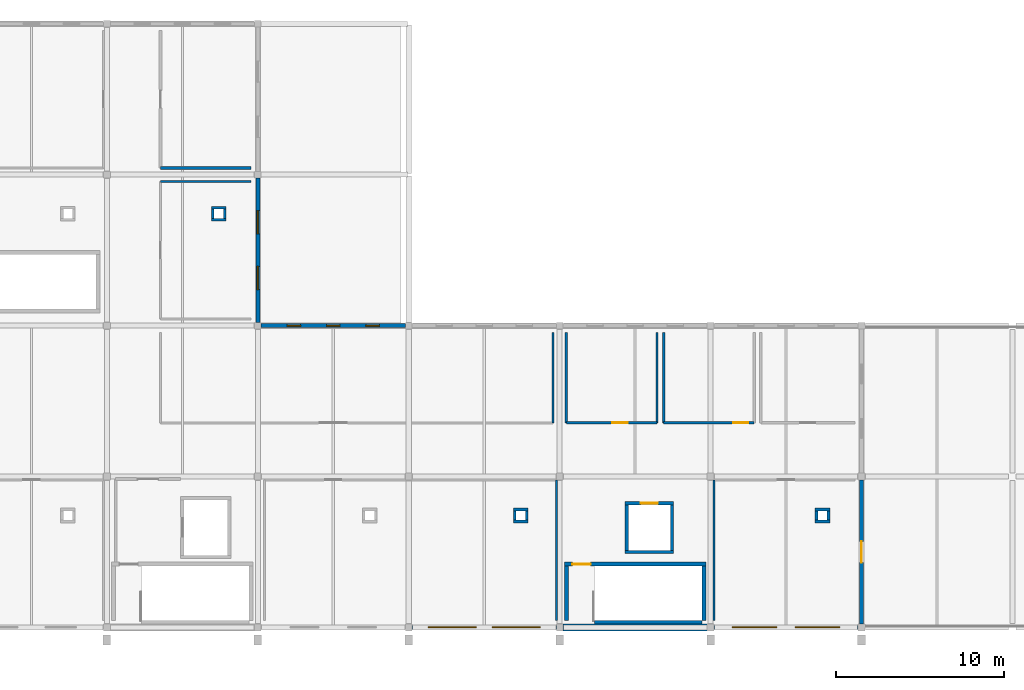
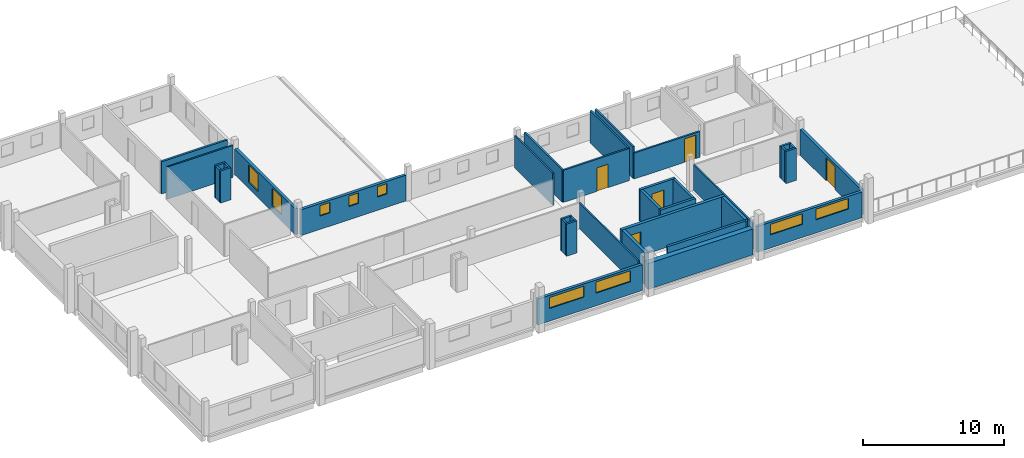
# One storey, part 3 of 6: 36 walls, 9 windows, 5 doors, 14 openings.
"""IFC4 building model written with IfcOpenShell, lengths in metres."""

from ifc_helpers import new_model, si_unit, direction, frame, frame_2d, origin, place, context, subcontext, project, spatial, rectangle, extrude, material, layer, layer_set, type_object, element, fill, save


model = new_model("IFC4")

# Units and contexts
model_context = context("Model", 3, precision=1e-05, world=origin(), true_north=direction((0.0, 1.0)))
body_context = subcontext(model_context, "Body", "Model", "MODEL_VIEW")
ifc_project = project(units=[si_unit("LENGTHUNIT", "METRE"), si_unit("AREAUNIT", "SQUARE_METRE"), si_unit("VOLUMEUNIT", "CUBIC_METRE"), si_unit("PLANEANGLEUNIT", "RADIAN"), si_unit("MASSUNIT", "GRAM", prefix="KILO")], contexts=[model_context])

# Site, building, storey
site_placement = place(None, origin())
site = spatial("IfcSite", under=ifc_project, at=site_placement, CompositionType="ELEMENT")
building_placement = place(site_placement, origin())
building = spatial("IfcBuilding", under=site, at=building_placement, Name="Tharagai Park Tramway Depot", CompositionType="ELEMENT")
storey_placement = place(building_placement, frame((0.0, 0.0, 15.0)))
storey = spatial("IfcBuildingStorey", under=building, at=storey_placement, Name="L04", CompositionType="ELEMENT", Elevation=15.0)

# Wall, openings, windows
ifc_material_1 = material(Name="Pressed clay brick", Category="masonry")
ifc_layer_1 = layer(ifc_material_1, 0.22998046875)
ifc_layer_set_1 = layer_set([ifc_layer_1], Name="Pressed clay brick")
wall_type_1 = type_object("IfcWallType", Name="EW-06", PredefinedType="SOLIDWALL", material=ifc_layer_set_1)
wall_1_placement = place(storey_placement, frame((27.197998046875, 0.0, 0.0), z_axis=(0.0, 0.0, 1.0), x_axis=(1.0, 0.0, 0.0)))
wall_1 = element("IfcWall", 1, at=wall_1_placement, inside=storey, type_object=wall_type_1, Name="L04 V4 Exterior Masonry Wall EW-06", PredefinedType="SOLIDWALL", context=body_context, shape_type="SweptSolid", body=[
    extrude(rectangle(XDim=8.60400390625, YDim=0.22998046875, at=frame_2d((4.302001953125, 0.0))), origin(), (0.0, 0.0, 1.0), 2.241943359375),
])
opening_1_placement = place(wall_1_placement, frame((0.968017578125, 0.0, 1.10009765625)))
opening_1 = element("IfcOpeningElement", 2, at=opening_1_placement, cuts=wall_1, Name="Opening WN-14", PredefinedType="OPENING", context=body_context, shape_type="SweptSolid", body=[
    extrude(rectangle(XDim=2.85009765625, YDim=0.9599609375, at=frame_2d((1.425048828125, 0.47998046875))), frame((0.0, 0.125, 0.0), z_axis=(0.0, -1.0, 0.0), x_axis=(1.0, 0.0, 0.0)), (0.0, 0.0, 1.0), 0.25),
])
opening_2_placement = place(wall_1_placement, frame((4.785888671875, 0.0, 1.10009765625)))
opening_2 = element("IfcOpeningElement", 3, at=opening_2_placement, cuts=wall_1, Name="Opening WN-14", PredefinedType="OPENING", context=body_context, shape_type="SweptSolid", body=[
    extrude(rectangle(XDim=2.85009765625, YDim=0.9599609375, at=frame_2d((1.425048828125, 0.47998046875))), frame((0.0, 0.125, 0.0), z_axis=(0.0, -1.0, 0.0), x_axis=(1.0, 0.0, 0.0)), (0.0, 0.0, 1.0), 0.25),
])
ifc_material_2 = material(Name="Laminated solar-control glass", Category="glass")
window_type_1 = type_object("IfcWindowType", Name="WN-14", PartitioningType="SINGLE_PANEL", PredefinedType="WINDOW", material=ifc_material_2)
window_1_placement = place(opening_1_placement, origin())
window_1 = element("IfcWindow", 4, at=window_1_placement, inside=storey, type_object=window_type_1, Name="L04 V4 Gothic Lancet Window WN-14", OverallHeight=0.9599609375, OverallWidth=2.85009765625, PartitioningType="SINGLE_PANEL", PredefinedType="WINDOW", context=body_context, shape_type="SweptSolid", body=[
    extrude(rectangle(XDim=2.85009765625, YDim=0.9599609375, at=frame_2d((1.425048828125, 0.47998046875))), frame((0.0, 0.030029296875, 0.0), z_axis=(0.0, -1.0, 0.0), x_axis=(1.0, 0.0, 0.0)), (0.0, 0.0, 1.0), 0.06005859375),
])
fill(opening_1, window_1)
window_2_placement = place(opening_2_placement, origin())
window_2 = element("IfcWindow", 5, at=window_2_placement, inside=storey, type_object=window_type_1, Name="L04 V4 Gothic Lancet Window WN-14", OverallHeight=0.9599609375, OverallWidth=2.85009765625, PartitioningType="SINGLE_PANEL", PredefinedType="WINDOW", context=body_context, shape_type="SweptSolid", body=[
    extrude(rectangle(XDim=2.85009765625, YDim=0.9599609375, at=frame_2d((1.425048828125, 0.47998046875))), frame((0.0, 0.030029296875, 0.0), z_axis=(0.0, -1.0, 0.0), x_axis=(1.0, 0.0, 0.0)), (0.0, 0.0, 1.0), 0.06005859375),
])
fill(opening_2, window_2)

wall_2_placement = place(storey_placement, frame((45.197998046875, 0.0, 0.0), z_axis=(0.0, 0.0, 1.0), x_axis=(1.0, 0.0, 0.0)))
wall_2 = element("IfcWall", 6, at=wall_2_placement, inside=storey, type_object=wall_type_1, Name="L04 V4 Exterior Masonry Wall EW-06", PredefinedType="SOLIDWALL", context=body_context, shape_type="SweptSolid", body=[
    extrude(rectangle(XDim=8.60400390625, YDim=0.22998046875, at=frame_2d((4.302001953125, 0.0))), origin(), (0.0, 0.0, 1.0), 2.241943359375),
])
opening_3_placement = place(wall_2_placement, frame((1.10107421875, 0.0, 1.139892578125)))
opening_3 = element("IfcOpeningElement", 7, at=opening_3_placement, cuts=wall_2, Name="Opening WN-46", PredefinedType="OPENING", context=body_context, shape_type="SweptSolid", body=[
    extrude(rectangle(XDim=2.64990234375, YDim=0.919921875, at=frame_2d((1.324951171875, 0.4599609375))), frame((0.0, 0.125, 0.0), z_axis=(0.0, -1.0, 0.0), x_axis=(1.0, 0.0, 0.0)), (0.0, 0.0, 1.0), 0.25),
])
opening_4_placement = place(wall_2_placement, frame((4.85302734375, 0.0, 1.139892578125)))
opening_4 = element("IfcOpeningElement", 8, at=opening_4_placement, cuts=wall_2, Name="Opening WN-46", PredefinedType="OPENING", context=body_context, shape_type="SweptSolid", body=[
    extrude(rectangle(XDim=2.64990234375, YDim=0.919921875, at=frame_2d((1.324951171875, 0.4599609375))), frame((0.0, 0.125, 0.0), z_axis=(0.0, -1.0, 0.0), x_axis=(1.0, 0.0, 0.0)), (0.0, 0.0, 1.0), 0.25),
])
window_type_2 = type_object("IfcWindowType", Name="WN-46", PartitioningType="SINGLE_PANEL", PredefinedType="WINDOW", material=ifc_material_2)
window_3_placement = place(opening_3_placement, origin())
window_3 = element("IfcWindow", 9, at=window_3_placement, inside=storey, type_object=window_type_2, Name="L04 V4 Gothic Lancet Window WN-46", OverallHeight=0.919921875, OverallWidth=2.64990234375, PartitioningType="SINGLE_PANEL", PredefinedType="WINDOW", context=body_context, shape_type="SweptSolid", body=[
    extrude(rectangle(XDim=2.64990234375, YDim=0.919921875, at=frame_2d((1.324951171875, 0.4599609375))), frame((0.0, 0.030029296875, 0.0), z_axis=(0.0, -1.0, 0.0), x_axis=(1.0, 0.0, 0.0)), (0.0, 0.0, 1.0), 0.06005859375),
])
fill(opening_3, window_3)
window_4_placement = place(opening_4_placement, origin())
window_4 = element("IfcWindow", 10, at=window_4_placement, inside=storey, type_object=window_type_2, Name="L04 V4 Gothic Lancet Window WN-46", OverallHeight=0.919921875, OverallWidth=2.64990234375, PartitioningType="SINGLE_PANEL", PredefinedType="WINDOW", context=body_context, shape_type="SweptSolid", body=[
    extrude(rectangle(XDim=2.64990234375, YDim=0.919921875, at=frame_2d((1.324951171875, 0.4599609375))), frame((0.0, 0.030029296875, 0.0), z_axis=(0.0, -1.0, 0.0), x_axis=(1.0, 0.0, 0.0)), (0.0, 0.0, 1.0), 0.06005859375),
])
fill(opening_4, window_4)

wall_3_placement = place(storey_placement, frame((18.197998046875, 18.0, 0.0), z_axis=(0.0, 0.0, 1.0), x_axis=(1.0, 0.0, 0.0)))
wall_3 = element("IfcWall", 11, at=wall_3_placement, inside=storey, type_object=wall_type_1, Name="L04 V4 Exterior Masonry Wall EW-06", PredefinedType="SOLIDWALL", context=body_context, shape_type="SweptSolid", body=[
    extrude(rectangle(XDim=8.60400390625, YDim=0.22998046875, at=frame_2d((4.302001953125, 0.0))), origin(), (0.0, 0.0, 1.0), 2.241943359375),
])
opening_5_placement = place(wall_3_placement, frame((1.551025390625, 0.0, 1.159912109375)))
opening_5 = element("IfcOpeningElement", 12, at=opening_5_placement, cuts=wall_3, Name="Opening WN-30", PredefinedType="OPENING", context=body_context, shape_type="SweptSolid", body=[
    extrude(rectangle(XDim=0.800048828125, YDim=0.89990234375, at=frame_2d((0.39990234375, 0.449951171875))), frame((0.0, 0.125, 0.0), z_axis=(0.0, -1.0, 0.0), x_axis=(1.0, 0.0, 0.0)), (0.0, 0.0, 1.0), 0.25),
])
opening_6_placement = place(wall_3_placement, frame((3.902099609375, 0.0, 1.159912109375)))
opening_6 = element("IfcOpeningElement", 13, at=opening_6_placement, cuts=wall_3, Name="Opening WN-30", PredefinedType="OPENING", context=body_context, shape_type="SweptSolid", body=[
    extrude(rectangle(XDim=0.800048828125, YDim=0.89990234375, at=frame_2d((0.39990234375, 0.449951171875))), frame((0.0, 0.125, 0.0), z_axis=(0.0, -1.0, 0.0), x_axis=(1.0, 0.0, 0.0)), (0.0, 0.0, 1.0), 0.25),
])
opening_7_placement = place(wall_3_placement, frame((6.2529296875, 0.0, 1.159912109375)))
opening_7 = element("IfcOpeningElement", 14, at=opening_7_placement, cuts=wall_3, Name="Opening WN-30", PredefinedType="OPENING", context=body_context, shape_type="SweptSolid", body=[
    extrude(rectangle(XDim=0.800048828125, YDim=0.89990234375, at=frame_2d((0.39990234375, 0.449951171875))), frame((0.0, 0.125, 0.0), z_axis=(0.0, -1.0, 0.0), x_axis=(1.0, 0.0, 0.0)), (0.0, 0.0, 1.0), 0.25),
])
window_type_3 = type_object("IfcWindowType", Name="WN-30", PartitioningType="SINGLE_PANEL", PredefinedType="WINDOW", material=ifc_material_2)
window_5_placement = place(opening_5_placement, origin())
window_5 = element("IfcWindow", 15, at=window_5_placement, inside=storey, type_object=window_type_3, Name="L04 V4 Gothic Lancet Window WN-30", OverallHeight=0.89990234375, OverallWidth=0.800048828125, PartitioningType="SINGLE_PANEL", PredefinedType="WINDOW", context=body_context, shape_type="SweptSolid", body=[
    extrude(rectangle(XDim=0.800048828125, YDim=0.89990234375, at=frame_2d((0.39990234375, 0.449951171875))), frame((0.0, 0.030029296875, 0.0), z_axis=(0.0, -1.0, 0.0), x_axis=(1.0, 0.0, 0.0)), (0.0, 0.0, 1.0), 0.06005859375),
])
fill(opening_5, window_5)
window_6_placement = place(opening_6_placement, origin())
window_6 = element("IfcWindow", 16, at=window_6_placement, inside=storey, type_object=window_type_3, Name="L04 V4 Gothic Lancet Window WN-30", OverallHeight=0.89990234375, OverallWidth=0.800048828125, PartitioningType="SINGLE_PANEL", PredefinedType="WINDOW", context=body_context, shape_type="SweptSolid", body=[
    extrude(rectangle(XDim=0.800048828125, YDim=0.89990234375, at=frame_2d((0.39990234375, 0.449951171875))), frame((0.0, 0.030029296875, 0.0), z_axis=(0.0, -1.0, 0.0), x_axis=(1.0, 0.0, 0.0)), (0.0, 0.0, 1.0), 0.06005859375),
])
fill(opening_6, window_6)
window_7_placement = place(opening_7_placement, origin())
window_7 = element("IfcWindow", 17, at=window_7_placement, inside=storey, type_object=window_type_3, Name="L04 V4 Gothic Lancet Window WN-30", OverallHeight=0.89990234375, OverallWidth=0.800048828125, PartitioningType="SINGLE_PANEL", PredefinedType="WINDOW", context=body_context, shape_type="SweptSolid", body=[
    extrude(rectangle(XDim=0.800048828125, YDim=0.89990234375, at=frame_2d((0.39990234375, 0.449951171875))), frame((0.0, 0.030029296875, 0.0), z_axis=(0.0, -1.0, 0.0), x_axis=(1.0, 0.0, 0.0)), (0.0, 0.0, 1.0), 0.06005859375),
])
fill(opening_7, window_7)

wall_4_placement = place(storey_placement, frame((18.0, 18.197998046875, 0.0), z_axis=(0.0, 0.0, 1.0), x_axis=(0.0, 1.0, 0.0)))
wall_4 = element("IfcWall", 18, at=wall_4_placement, inside=storey, type_object=wall_type_1, Name="L04 V4 Exterior Masonry Wall EW-06", PredefinedType="SOLIDWALL", context=body_context, shape_type="SweptSolid", body=[
    extrude(rectangle(XDim=8.60400390625, YDim=0.22998046875, at=frame_2d((4.302001953125, 0.0))), origin(), (0.0, 0.0, 1.0), 2.241943359375),
])
opening_8_placement = place(wall_4_placement, frame((1.947998046875, 0.0, 0.5400390625)))
opening_8 = element("IfcOpeningElement", 19, at=opening_8_placement, cuts=wall_4, Name="Opening WN-12", PredefinedType="OPENING", context=body_context, shape_type="SweptSolid", body=[
    extrude(rectangle(XDim=1.3798828125, YDim=1.52001953125, at=frame_2d((0.68994140625, 0.760009765625))), frame((0.0, 0.125, 0.0), z_axis=(0.0, -1.0, 0.0), x_axis=(1.0, 0.0, 0.0)), (0.0, 0.0, 1.0), 0.25),
])
opening_9_placement = place(wall_4_placement, frame((5.27587890625, 0.0, 0.5400390625)))
opening_9 = element("IfcOpeningElement", 20, at=opening_9_placement, cuts=wall_4, Name="Opening WN-12", PredefinedType="OPENING", context=body_context, shape_type="SweptSolid", body=[
    extrude(rectangle(XDim=1.3798828125, YDim=1.52001953125, at=frame_2d((0.68994140625, 0.760009765625))), frame((0.0, 0.125, 0.0), z_axis=(0.0, -1.0, 0.0), x_axis=(1.0, 0.0, 0.0)), (0.0, 0.0, 1.0), 0.25),
])
window_type_4 = type_object("IfcWindowType", Name="WN-12", PartitioningType="SINGLE_PANEL", PredefinedType="WINDOW", material=ifc_material_2)
window_8_placement = place(opening_8_placement, origin())
window_8 = element("IfcWindow", 21, at=window_8_placement, inside=storey, type_object=window_type_4, Name="L04 V4 Side Lancet Window WN-12", OverallHeight=1.52001953125, OverallWidth=1.3798828125, PartitioningType="SINGLE_PANEL", PredefinedType="WINDOW", context=body_context, shape_type="SweptSolid", body=[
    extrude(rectangle(XDim=1.3798828125, YDim=1.52001953125, at=frame_2d((0.68994140625, 0.760009765625))), frame((0.0, 0.030029296875, 0.0), z_axis=(0.0, -1.0, 0.0), x_axis=(1.0, 0.0, 0.0)), (0.0, 0.0, 1.0), 0.06005859375),
])
fill(opening_8, window_8)
window_9_placement = place(opening_9_placement, origin())
window_9 = element("IfcWindow", 22, at=window_9_placement, inside=storey, type_object=window_type_4, Name="L04 V4 Side Lancet Window WN-12", OverallHeight=1.52001953125, OverallWidth=1.3798828125, PartitioningType="SINGLE_PANEL", PredefinedType="WINDOW", context=body_context, shape_type="SweptSolid", body=[
    extrude(rectangle(XDim=1.3798828125, YDim=1.52001953125, at=frame_2d((0.68994140625, 0.760009765625))), frame((0.0, 0.030029296875, 0.0), z_axis=(0.0, -1.0, 0.0), x_axis=(1.0, 0.0, 0.0)), (0.0, 0.0, 1.0), 0.06005859375),
])
fill(opening_9, window_9)

# Wall, opening, door
wall_5_placement = place(storey_placement, frame((54.0, 0.197998046875, 0.0), z_axis=(0.0, 0.0, 1.0), x_axis=(0.0, 1.0, 0.0)))
wall_5 = element("IfcWall", 23, at=wall_5_placement, inside=storey, type_object=wall_type_1, Name="L04 V4 Exterior Masonry Wall EW-06", PredefinedType="SOLIDWALL", context=body_context, shape_type="SweptSolid", body=[
    extrude(rectangle(XDim=8.60400390625, YDim=0.22998046875, at=frame_2d((4.302001953125, 0.0))), origin(), (0.0, 0.0, 1.0), 2.241943359375),
])
opening_10_placement = place(wall_5_placement, frame((3.672119140625, 0.0, 0.0)))
opening_10 = element("IfcOpeningElement", 24, at=opening_10_placement, cuts=wall_5, Name="Opening ED-07", PredefinedType="OPENING", context=body_context, shape_type="SweptSolid", body=[
    extrude(rectangle(XDim=1.260009765625, YDim=2.02001953125, at=frame_2d((0.6298828125, 1.010009765625))), frame((0.0, 0.125, 0.0), z_axis=(0.0, -1.0, 0.0), x_axis=(1.0, 0.0, 0.0)), (0.0, 0.0, 1.0), 0.25),
])
ifc_material_3 = material(Name="Anodised aluminium", Category="aluminium")
door_type_1 = type_object("IfcDoorType", Name="ED-07", OperationType="NOTDEFINED", PredefinedType="DOOR", material=ifc_material_3)
door_1_placement = place(opening_10_placement, frame((1.260009765625, 0.0, 0.0), z_axis=(0.0, 0.0, 1.0), x_axis=(-1.0, 0.0, 0.0)))
door_1 = element("IfcDoor", 25, at=door_1_placement, inside=storey, type_object=door_type_1, Name="T-L04-V4 Terrace Access Door", OperationType="SINGLE_SWING_LEFT", OverallHeight=2.02001953125, OverallWidth=1.260009765625, PredefinedType="DOOR", context=body_context, shape_type="SweptSolid", body=[
    extrude(rectangle(XDim=1.260009765625, YDim=2.02001953125, at=frame_2d((0.6298828125, 1.010009765625))), frame((0.0, 0.02490234375, 0.0), z_axis=(0.0, -1.0, 0.0), x_axis=(1.0, 0.0, 0.0)), (0.0, 0.0, 1.0), 0.050048828125),
])
fill(opening_10, door_1)

# Wall
ifc_material_4 = material(Name="Charnockite stone", Category="masonry")
ifc_layer_2 = layer(ifc_material_4, 0.419921875)
ifc_layer_set_2 = layer_set([ifc_layer_2], Name="Charnockite stone")
wall_type_2 = type_object("IfcWallType", Name="EW-07", PredefinedType="SOLIDWALL", material=ifc_layer_set_2)
wall_6_placement = place(storey_placement, frame((36.197998046875, 0.0, 0.0), z_axis=(0.0, 0.0, 1.0), x_axis=(1.0, 0.0, 0.0)))
element("IfcWall", 26, at=wall_6_placement, inside=storey, type_object=wall_type_2, Name="L04 V4 Exterior Masonry Wall EW-07", PredefinedType="SOLIDWALL", context=body_context, shape_type="SweptSolid", body=[
    extrude(rectangle(XDim=8.60400390625, YDim=0.419921875, at=frame_2d((4.302001953125, 0.0))), origin(), (0.0, 0.0, 1.0), 2.241943359375),
])

# Wall, opening, door
ifc_layer_3 = layer(ifc_material_1, 0.139892578125)
ifc_layer_set_3 = layer_set([ifc_layer_3], Name="Pressed clay brick")
wall_type_3 = type_object("IfcWallType", Name="IW-01", PredefinedType="PARTITIONING", material=ifc_layer_set_3)
wall_7_placement = place(storey_placement, frame((36.39990234375, 12.199951171875, 0.0), z_axis=(0.0, 0.0, 1.0), x_axis=(1.0, 0.0, 0.0)))
wall_7 = element("IfcWall", 27, at=wall_7_placement, inside=storey, type_object=wall_type_3, Name="Fourth Floor Male WC Partition South", PredefinedType="PARTITIONING", context=body_context, shape_type="SweptSolid", body=[
    extrude(rectangle(XDim=5.400146484375, YDim=0.139892578125, at=frame_2d((2.7001953125, 0.0))), origin(), (0.0, 0.0, 1.0), 2.7900390625),
])
opening_11_placement = place(wall_7_placement, frame((2.7451171875, 0.0, 0.0)))
opening_11 = element("IfcOpeningElement", 28, at=opening_11_placement, cuts=wall_7, Name="Opening ID-08", PredefinedType="OPENING", context=body_context, shape_type="SweptSolid", body=[
    extrude(rectangle(XDim=0.909912109375, YDim=2.0400390625, at=frame_2d((0.455078125, 1.02001953125))), frame((0.0, 0.079833984375, 0.0), z_axis=(0.0, -1.0, 0.0), x_axis=(1.0, 0.0, 0.0)), (0.0, 0.0, 1.0), 0.159912109375),
])
ifc_material_5 = material(Name="Pressed timber", Category="wood")
door_type_2 = type_object("IfcDoorType", Name="ID-08", OperationType="NOTDEFINED", PredefinedType="DOOR", material=ifc_material_5)
door_2_placement = place(opening_11_placement, frame((0.909912109375, 0.0, 0.0), z_axis=(0.0, 0.0, 1.0), x_axis=(-1.0, 0.0, 0.0)))
door_2 = element("IfcDoor", 29, at=door_2_placement, inside=storey, type_object=door_type_2, Name="Fourth Floor Male WC Door", OperationType="SINGLE_SWING_RIGHT", OverallHeight=2.0400390625, OverallWidth=0.909912109375, PredefinedType="DOOR", context=body_context, shape_type="SweptSolid", body=[
    extrude(rectangle(XDim=0.909912109375, YDim=2.0400390625, at=frame_2d((0.455078125, 1.02001953125))), frame((0.0, 0.02490234375, 0.0), z_axis=(0.0, -1.0, 0.0), x_axis=(1.0, 0.0, 0.0)), (0.0, 0.0, 1.0), 0.050048828125),
])
fill(opening_11, door_2)

# Walls
for number, where, z_axis, x_axis, name in (
    (30, (36.39990234375, 12.199951171875, 0.0), (0.0, 0.0, 1.0), (0.0, 1.0, 0.0), "Fourth Floor Male WC Partition West"),
    (31, (41.800048828125, 12.199951171875, 0.0), (0.0, 0.0, 1.0), (0.0, 1.0, 0.0), "Fourth Floor Male WC Partition East"),
):
    element("IfcWall", number, at=place(storey_placement, frame(where, z_axis=z_axis, x_axis=x_axis)), inside=storey, type_object=wall_type_3, Name=name, PredefinedType="PARTITIONING", context=body_context, shape_type="SweptSolid", body=[
        extrude(rectangle(XDim=5.400146484375, YDim=0.139892578125, at=frame_2d((2.7001953125, 0.0))), origin(), (0.0, 0.0, 1.0), 2.7900390625),
    ])

# Wall, opening, door
wall_8_placement = place(storey_placement, frame((42.199951171875, 12.199951171875, 0.0), z_axis=(0.0, 0.0, 1.0), x_axis=(1.0, 0.0, 0.0)))
wall_8 = element("IfcWall", 32, at=wall_8_placement, inside=storey, type_object=wall_type_3, Name="Fourth Floor Female WC Partition South", PredefinedType="PARTITIONING", context=body_context, shape_type="SweptSolid", body=[
    extrude(rectangle(XDim=5.400146484375, YDim=0.139892578125, at=frame_2d((2.7001953125, 0.0))), origin(), (0.0, 0.0, 1.0), 2.2451171875),
])
opening_12_placement = place(wall_8_placement, frame((4.139892578125, 0.0, 0.0)))
opening_12 = element("IfcOpeningElement", 33, at=opening_12_placement, cuts=wall_8, Name="Opening ID-08", PredefinedType="OPENING", context=body_context, shape_type="SweptSolid", body=[
    extrude(rectangle(XDim=0.909912109375, YDim=2.0400390625, at=frame_2d((0.455078125, 1.02001953125))), frame((0.0, 0.079833984375, 0.0), z_axis=(0.0, -1.0, 0.0), x_axis=(1.0, 0.0, 0.0)), (0.0, 0.0, 1.0), 0.159912109375),
])
door_3_placement = place(opening_12_placement, frame((0.909912109375, 0.0, 0.0), z_axis=(0.0, 0.0, 1.0), x_axis=(-1.0, 0.0, 0.0)))
door_3 = element("IfcDoor", 34, at=door_3_placement, inside=storey, type_object=door_type_2, Name="Fourth Floor Female WC Door", OperationType="SINGLE_SWING_LEFT", OverallHeight=2.0400390625, OverallWidth=0.909912109375, PredefinedType="DOOR", context=body_context, shape_type="SweptSolid", body=[
    extrude(rectangle(XDim=0.909912109375, YDim=2.0400390625, at=frame_2d((0.455078125, 1.02001953125))), frame((0.0, 0.02490234375, 0.0), z_axis=(0.0, -1.0, 0.0), x_axis=(1.0, 0.0, 0.0)), (0.0, 0.0, 1.0), 0.050048828125),
])
fill(opening_12, door_3)

# Walls
wall_9_placement = place(storey_placement, frame((42.199951171875, 12.199951171875, 0.0), z_axis=(0.0, 0.0, 1.0), x_axis=(0.0, 1.0, 0.0)))
element("IfcWall", 35, at=wall_9_placement, inside=storey, type_object=wall_type_3, Name="Fourth Floor Female WC Partition West", PredefinedType="PARTITIONING", context=body_context, shape_type="SweptSolid", body=[
    extrude(rectangle(XDim=5.400146484375, YDim=0.139892578125, at=frame_2d((2.7001953125, 0.0))), origin(), (0.0, 0.0, 1.0), 2.7900390625),
])
ifc_layer_4 = layer(ifc_material_1, 0.159912109375)
ifc_layer_set_4 = layer_set([ifc_layer_4], Name="Pressed clay brick")
wall_type_4 = type_object("IfcWallType", Name="IW-02", PredefinedType="PARTITIONING", material=ifc_layer_set_4)
for number, where, z_axis, x_axis, name in (
    (36, (33.239990234375, 6.320068359375, 0.0), (0.0, 0.0, 1.0), (1.0, 0.0, 0.0), "L04 Pipe Riser Enclosure Wall 64 S"),
    (37, (33.239990234375, 7.030029296875, 0.0), (0.0, 0.0, 1.0), (1.0, 0.0, 0.0), "L04 Pipe Riser Enclosure Wall 64 N"),
):
    element("IfcWall", number, at=place(storey_placement, frame(where, z_axis=z_axis, x_axis=x_axis)), inside=storey, type_object=wall_type_4, Name=name, PredefinedType="PARTITIONING", context=body_context, shape_type="SweptSolid", body=[
        extrude(rectangle(XDim=0.8701171875, YDim=0.159912109375, at=frame_2d((0.43505859375, 0.0))), origin(), (0.0, 0.0, 1.0), 2.7900390625),
    ])
for number, where, z_axis, x_axis, name in (
    (38, (33.320068359375, 6.39990234375, 0.0), (0.0, 0.0, 1.0), (0.0, 1.0, 0.0), "L04 Pipe Riser Enclosure Wall 64 W"),
    (39, (34.030029296875, 6.39990234375, 0.0), (0.0, 0.0, 1.0), (0.0, 1.0, 0.0), "L04 Pipe Riser Enclosure Wall 64 E"),
):
    element("IfcWall", number, at=place(storey_placement, frame(where, z_axis=z_axis, x_axis=x_axis)), inside=storey, type_object=wall_type_4, Name=name, PredefinedType="PARTITIONING", context=body_context, shape_type="SweptSolid", body=[
        extrude(rectangle(XDim=0.550048828125, YDim=0.159912109375, at=frame_2d((0.27490234375, 0.0))), origin(), (0.0, 0.0, 1.0), 2.7900390625),
    ])
for number, where, z_axis, x_axis, name in (
    (40, (51.239990234375, 6.320068359375, 0.0), (0.0, 0.0, 1.0), (1.0, 0.0, 0.0), "L04 Pipe Riser Enclosure Wall 65 S"),
    (41, (51.239990234375, 7.030029296875, 0.0), (0.0, 0.0, 1.0), (1.0, 0.0, 0.0), "L04 Pipe Riser Enclosure Wall 65 N"),
):
    element("IfcWall", number, at=place(storey_placement, frame(where, z_axis=z_axis, x_axis=x_axis)), inside=storey, type_object=wall_type_4, Name=name, PredefinedType="PARTITIONING", context=body_context, shape_type="SweptSolid", body=[
        extrude(rectangle(XDim=0.8701171875, YDim=0.159912109375, at=frame_2d((0.43505859375, 0.0))), origin(), (0.0, 0.0, 1.0), 2.7900390625),
    ])
for number, where, z_axis, x_axis, name in (
    (42, (51.320068359375, 6.39990234375, 0.0), (0.0, 0.0, 1.0), (0.0, 1.0, 0.0), "L04 Pipe Riser Enclosure Wall 65 W"),
    (43, (52.030029296875, 6.39990234375, 0.0), (0.0, 0.0, 1.0), (0.0, 1.0, 0.0), "L04 Pipe Riser Enclosure Wall 65 E"),
):
    element("IfcWall", number, at=place(storey_placement, frame(where, z_axis=z_axis, x_axis=x_axis)), inside=storey, type_object=wall_type_4, Name=name, PredefinedType="PARTITIONING", context=body_context, shape_type="SweptSolid", body=[
        extrude(rectangle(XDim=0.550048828125, YDim=0.159912109375, at=frame_2d((0.27490234375, 0.0))), origin(), (0.0, 0.0, 1.0), 2.7900390625),
    ])
for number, where, z_axis, x_axis, name in (
    (44, (15.239990234375, 24.320068359375, 0.0), (0.0, 0.0, 1.0), (1.0, 0.0, 0.0), "L04 Pipe Riser Enclosure Wall 67 S"),
    (45, (15.239990234375, 25.030029296875, 0.0), (0.0, 0.0, 1.0), (1.0, 0.0, 0.0), "L04 Pipe Riser Enclosure Wall 67 N"),
):
    element("IfcWall", number, at=place(storey_placement, frame(where, z_axis=z_axis, x_axis=x_axis)), inside=storey, type_object=wall_type_4, Name=name, PredefinedType="PARTITIONING", context=body_context, shape_type="SweptSolid", body=[
        extrude(rectangle(XDim=0.8701171875, YDim=0.159912109375, at=frame_2d((0.43505859375, 0.0))), origin(), (0.0, 0.0, 1.0), 2.7900390625),
    ])
for number, where, z_axis, x_axis, name in (
    (46, (15.320068359375, 24.39990234375, 0.0), (0.0, 0.0, 1.0), (0.0, 1.0, 0.0), "L04 Pipe Riser Enclosure Wall 67 W"),
    (47, (16.030029296875, 24.39990234375, 0.0), (0.0, 0.0, 1.0), (0.0, 1.0, 0.0), "L04 Pipe Riser Enclosure Wall 67 E"),
):
    element("IfcWall", number, at=place(storey_placement, frame(where, z_axis=z_axis, x_axis=x_axis)), inside=storey, type_object=wall_type_4, Name=name, PredefinedType="PARTITIONING", context=body_context, shape_type="SweptSolid", body=[
        extrude(rectangle(XDim=0.550048828125, YDim=0.159912109375, at=frame_2d((0.27490234375, 0.0))), origin(), (0.0, 0.0, 1.0), 2.7900390625),
    ])
wall_10_placement = place(storey_placement, frame((12.199951171875, 27.39990234375, 0.0), z_axis=(0.0, 0.0, 1.0), x_axis=(1.0, 0.0, 0.0)))
element("IfcWall", 48, at=wall_10_placement, inside=storey, type_object=wall_type_4, Name="Safety Investigation Records Room Partition South", PredefinedType="PARTITIONING", context=body_context, shape_type="SweptSolid", body=[
    extrude(rectangle(XDim=5.400146484375, YDim=0.159912109375, at=frame_2d((2.7001953125, 0.0))), origin(), (0.0, 0.0, 1.0), 2.7900390625),
])
ifc_material_6 = material(Name="Gypsum board", Category="gypsum")
ifc_layer_5 = layer(ifc_material_6, 0.1201171875)
ifc_layer_set_5 = layer_set([ifc_layer_5], Name="Gypsum board")
wall_type_5 = type_object("IfcWallType", Name="IW-03", PredefinedType="PARTITIONING", material=ifc_layer_set_5)
for number, where, z_axis, x_axis, name in (
    (49, (35.800048828125, 0.39990234375, 0.0), (0.0, 0.0, 1.0), (0.0, 1.0, 0.0), "Standards and Safety Reference Library Partition East"),
    (50, (45.199951171875, 0.39990234375, 0.0), (0.0, 0.0, 1.0), (0.0, 1.0, 0.0), "Chief Depot Engineer Office Partition West"),
):
    element("IfcWall", number, at=place(storey_placement, frame(where, z_axis=z_axis, x_axis=x_axis)), inside=storey, type_object=wall_type_5, Name=name, PredefinedType="PARTITIONING", context=body_context, shape_type="SweptSolid", body=[
        extrude(rectangle(XDim=8.400146484375, YDim=0.1201171875, at=frame_2d((4.2001953125, 0.0))), origin(), (0.0, 0.0, 1.0), 2.2451171875),
    ])
for number, where, z_axis, x_axis, name in (
    (51, (35.60009765625, 12.199951171875, 0.0), (0.0, 0.0, 1.0), (0.0, 1.0, 0.0), "Operations Safety Seminar Hall Partition East"),
    (52, (12.199951171875, 26.60009765625, 0.0), (0.0, 0.0, 1.0), (1.0, 0.0, 0.0), "Senior Instructors Study Room Partition North"),
):
    element("IfcWall", number, at=place(storey_placement, frame(where, z_axis=z_axis, x_axis=x_axis)), inside=storey, type_object=wall_type_5, Name=name, PredefinedType="PARTITIONING", context=body_context, shape_type="SweptSolid", body=[
        extrude(rectangle(XDim=5.400146484375, YDim=0.1201171875, at=frame_2d((2.7001953125, 0.0))), origin(), (0.0, 0.0, 1.0), 2.7900390625),
    ])

# Wall, opening, door
ifc_material_7 = material(Name="Concrete M40", Category="concrete")
ifc_layer_6 = layer(ifc_material_7, 0.239990234375)
ifc_layer_set_6 = layer_set([ifc_layer_6], Name="Concrete M40")
wall_type_6 = type_object("IfcWallType", Name="SW-01", PredefinedType="SHEAR", material=ifc_layer_set_6)
wall_11_placement = place(storey_placement, frame((36.280029296875, 3.77001953125, 0.0), z_axis=(0.0, 0.0, 1.0), x_axis=(1.0, 0.0, 0.0)))
wall_11 = element("IfcWall", 53, at=wall_11_placement, inside=storey, type_object=wall_type_6, Name="Core C2 L04 Shear Wall North", PredefinedType="SHEAR", context=body_context, shape_type="SweptSolid", body=[
    extrude(rectangle(XDim=8.43994140625, YDim=0.239990234375, at=frame_2d((4.219970703125, 0.0))), origin(), (0.0, 0.0, 1.0), 2.7900390625),
])
opening_13_placement = place(wall_11_placement, frame((0.47998046875, 0.0, 0.0)))
opening_13 = element("IfcOpeningElement", 54, at=opening_13_placement, cuts=wall_11, Name="Opening ID-05", PredefinedType="OPENING", context=body_context, shape_type="SweptSolid", body=[
    extrude(rectangle(XDim=1.080078125, YDim=2.080078125, at=frame_2d((0.5400390625, 1.0400390625))), frame((0.0, 0.1298828125, 0.0), z_axis=(0.0, -1.0, 0.0), x_axis=(1.0, 0.0, 0.0)), (0.0, 0.0, 1.0), 0.260009765625),
])
ifc_material_8 = material(Name="Galvanised steel", Category="steel")
door_type_3 = type_object("IfcDoorType", Name="ID-05", OperationType="NOTDEFINED", PredefinedType="DOOR", material=ifc_material_8)
door_4_placement = place(opening_13_placement, frame((1.080078125, 0.0, 0.0), z_axis=(0.0, 0.0, 1.0), x_axis=(-1.0, 0.0, 0.0)))
door_4 = element("IfcDoor", 55, at=door_4_placement, inside=storey, type_object=door_type_3, Name="Stair ST-02 L04 Fire Door", OperationType="SINGLE_SWING_RIGHT", OverallHeight=2.080078125, OverallWidth=1.080078125, PredefinedType="DOOR", context=body_context, shape_type="SweptSolid", body=[
    extrude(rectangle(XDim=1.080078125, YDim=2.080078125, at=frame_2d((0.5400390625, 1.0400390625))), frame((0.0, 0.02490234375, 0.0), z_axis=(0.0, -1.0, 0.0), x_axis=(1.0, 0.0, 0.0)), (0.0, 0.0, 1.0), 0.050048828125),
])
fill(opening_13, door_4)

# Walls
for number, where, z_axis, x_axis, name in (
    (56, (36.39990234375, 0.39990234375, 0.0), (0.0, 0.0, 1.0), (0.0, 1.0, 0.0), "Core C2 L04 Shear Wall West"),
    (57, (44.60009765625, 0.39990234375, 0.0), (0.0, 0.0, 1.0), (0.0, 1.0, 0.0), "Core C2 L04 Shear Wall East"),
):
    element("IfcWall", number, at=place(storey_placement, frame(where, z_axis=z_axis, x_axis=x_axis)), inside=storey, type_object=wall_type_6, Name=name, PredefinedType="SHEAR", context=body_context, shape_type="SweptSolid", body=[
        extrude(rectangle(XDim=3.25, YDim=0.239990234375, at=frame_2d((1.625, 0.0))), origin(), (0.0, 0.0, 1.0), 2.7900390625),
    ])
ifc_layer_7 = layer(ifc_material_7, 0.199951171875)
ifc_layer_set_7 = layer_set([ifc_layer_7], Name="Concrete M40")
wall_type_7 = type_object("IfcWallType", Name="SW-02", PredefinedType="SHEAR", material=ifc_layer_set_7)
wall_12_placement = place(storey_placement, frame((38.070068359375, 0.31494140625, 0.0), z_axis=(0.0, 0.0, 1.0), x_axis=(1.0, 0.0, 0.0)))
element("IfcWall", 58, at=wall_12_placement, inside=storey, type_object=wall_type_7, Name="Core C2 L04 Shear Bearing Liner South", PredefinedType="SHEAR", context=body_context, shape_type="SweptSolid", body=[
    extrude(rectangle(XDim=6.409912109375, YDim=0.199951171875, at=frame_2d((3.205078125, 0.0))), origin(), (0.0, 0.0, 1.0), 2.7900390625),
])
wall_13_placement = place(storey_placement, frame((39.89990234375, 4.5, 0.0), z_axis=(0.0, 0.0, 1.0), x_axis=(1.0, 0.0, 0.0)))
element("IfcWall", 59, at=wall_13_placement, inside=storey, type_object=wall_type_7, Name="Lift LP-01 L04 Shaft Wall South", PredefinedType="SHEAR", context=body_context, shape_type="SweptSolid", body=[
    extrude(rectangle(XDim=2.900146484375, YDim=0.199951171875, at=frame_2d((1.4501953125, 0.0))), origin(), (0.0, 0.0, 1.0), 2.7900390625),
])

# Wall, opening, door
wall_14_placement = place(storey_placement, frame((39.89990234375, 7.39990234375, 0.0), z_axis=(0.0, 0.0, 1.0), x_axis=(1.0, 0.0, 0.0)))
wall_14 = element("IfcWall", 60, at=wall_14_placement, inside=storey, type_object=wall_type_7, Name="Lift LP-01 L04 Shaft Wall North", PredefinedType="SHEAR", context=body_context, shape_type="SweptSolid", body=[
    extrude(rectangle(XDim=2.900146484375, YDim=0.199951171875, at=frame_2d((1.4501953125, 0.0))), origin(), (0.0, 0.0, 1.0), 2.7900390625),
])
opening_14_placement = place(wall_14_placement, frame((0.949951171875, 0.0, 0.0)))
opening_14 = element("IfcOpeningElement", 61, at=opening_14_placement, cuts=wall_14, Name="Opening LD-02", PredefinedType="OPENING", context=body_context, shape_type="SweptSolid", body=[
    extrude(rectangle(XDim=1.0, YDim=2.10009765625, at=frame_2d((0.5, 1.050048828125))), frame((0.0, 0.10986328125, 0.0), z_axis=(0.0, -1.0, 0.0), x_axis=(1.0, 0.0, 0.0)), (0.0, 0.0, 1.0), 0.219970703125),
])
door_type_4 = type_object("IfcDoorType", Name="LD-02", OperationType="SLIDING_TO_LEFT", PredefinedType="DOOR", material=ifc_material_3)
door_5_placement = place(opening_14_placement, origin())
door_5 = element("IfcDoor", 62, at=door_5_placement, inside=storey, type_object=door_type_4, Name="Lift LP-01 L04 Sliding Landing Door", OperationType="SLIDING_TO_LEFT", OverallHeight=2.10009765625, OverallWidth=1.0, PredefinedType="DOOR", context=body_context, shape_type="SweptSolid", body=[
    extrude(rectangle(XDim=1.0, YDim=2.10009765625, at=frame_2d((0.5, 1.050048828125))), frame((0.0, 0.02490234375, 0.0), z_axis=(0.0, -1.0, 0.0), x_axis=(1.0, 0.0, 0.0)), (0.0, 0.0, 1.0), 0.050048828125),
])
fill(opening_14, door_5)

# Walls
for number, where, z_axis, x_axis, name in (
    (63, (40.0, 4.60009765625, 0.0), (0.0, 0.0, 1.0), (0.0, 1.0, 0.0), "Lift LP-01 L04 Shaft Wall West"),
    (64, (42.699951171875, 4.60009765625, 0.0), (0.0, 0.0, 1.0), (0.0, 1.0, 0.0), "Lift LP-01 L04 Shaft Wall East"),
):
    element("IfcWall", number, at=place(storey_placement, frame(where, z_axis=z_axis, x_axis=x_axis)), inside=storey, type_object=wall_type_7, Name=name, PredefinedType="SHEAR", context=body_context, shape_type="SweptSolid", body=[
        extrude(rectangle(XDim=2.699951171875, YDim=0.199951171875, at=frame_2d((1.35009765625, 0.0))), origin(), (0.0, 0.0, 1.0), 2.7900390625),
    ])

save(model, "model.ifc")
